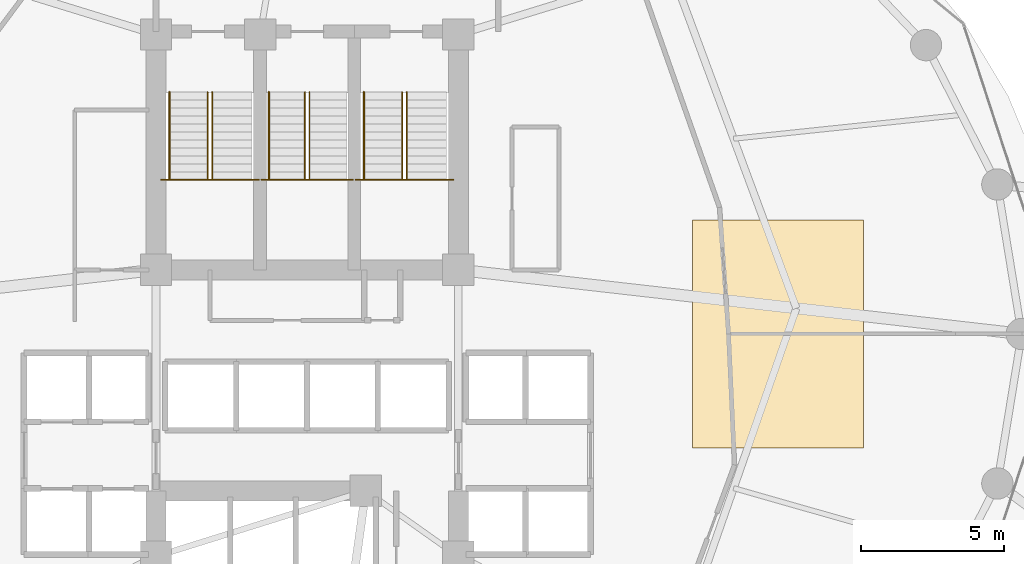
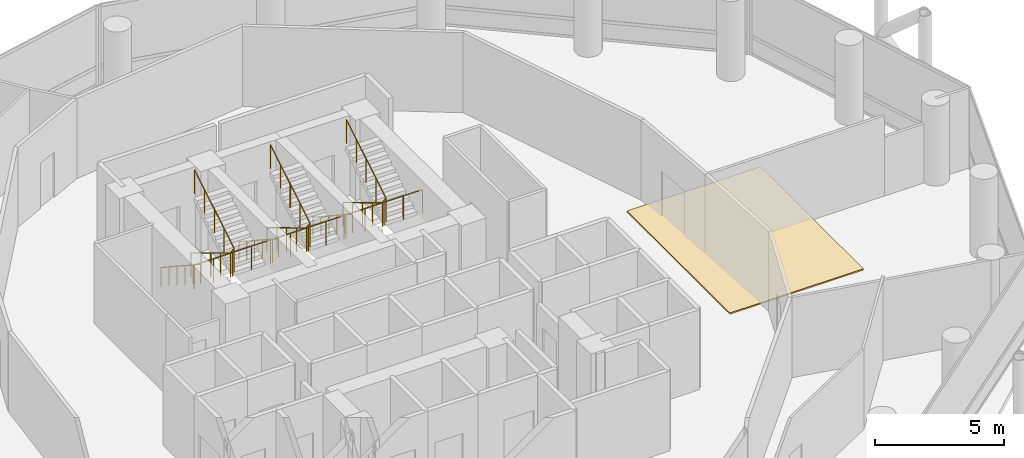
# One storey, part 24 of 24: 9 railings, 1 covering.
"""IFC4 building model written with IfcOpenShell, lengths in metres."""

from ifc_helpers import new_model, si_unit, direction, frame, origin, place, context, subcontext, project, spatial, polyline, outline, extrude, material, layer, layer_set, type_object, element, save


model = new_model("IFC4")

# Units and contexts
model_context = context("Model", 3, precision=1e-05, world=origin(), true_north=direction((0.0, 1.0)))
body_context = subcontext(model_context, "Body", "Model", "MODEL_VIEW")
ifc_project = project(units=[si_unit("LENGTHUNIT", "METRE"), si_unit("AREAUNIT", "SQUARE_METRE"), si_unit("VOLUMEUNIT", "CUBIC_METRE"), si_unit("PLANEANGLEUNIT", "RADIAN"), si_unit("MASSUNIT", "GRAM", prefix="KILO")], contexts=[model_context])

# Site, building, storey
site_placement = place(None, origin())
site = spatial("IfcSite", under=ifc_project, at=site_placement, CompositionType="ELEMENT")
building_placement = place(site_placement, origin())
building = spatial("IfcBuilding", under=site, at=building_placement, Name="Nuhasar Tower", CompositionType="ELEMENT")
storey_placement = place(building_placement, frame((0.0, 0.0, 85.800048828125)))
storey = spatial("IfcBuildingStorey", under=building, at=storey_placement, Name="L20", CompositionType="ELEMENT", Elevation=85.800048828125)

# Covering
ifc_material_1 = material(Name="Calcium Sulphate Tile", Category="gypsum")
ifc_layer = layer(ifc_material_1, 0.06005859375)
ifc_layer_set = layer_set([ifc_layer], Name="Calcium Sulphate Tile")
covering_type = type_object("IfcCoveringType", Name="COV-FLR-RAF120", PredefinedType="FLOORING", material=ifc_layer_set)
covering_placement = place(storey_placement, origin())
element("IfcCovering", 1, at=covering_placement, inside=storey, type_object=covering_type, Name="L20 Raised Access Floor Zone", PredefinedType="FLOORING", context=body_context, shape_type="SweptSolid", body=[
    extrude(outline(polyline([(52.5, 22.800048828125), (58.5, 22.800048828125), (58.5, 30.800048828125), (52.5, 30.800048828125), (52.5, 22.800048828125)])), origin(), (0.0, 0.0, 1.0), 0.06005859375),
])

# Railings
ifc_material_2 = material(Name="Steel S355", Category="steel")
railing_type_1 = type_object("IfcRailingType", Name="RLG-STAIR-GUARD-1150", PredefinedType="GUARDRAIL", material=ifc_material_2)
railing_1_placement = place(storey_placement, frame((33.8798828125, 32.205078125, 2.02490234375)))
element("IfcRailing", 2, at=railing_1_placement, inside=storey, type_object=railing_type_1, Name="L20 Stair ST-01 Guardrail LND", PredefinedType="GUARDRAIL", context=body_context, shape_type="SweptSolid", body=[
    extrude(outline(polyline([(0.024169921875, 0.0), (0.01708984375, 0.01708984375), (0.0, 0.024169921875), (-0.01708984375, 0.01708984375), (-0.024169921875, 0.0), (-0.01708984375, -0.01708984375), (0.0, -0.024169921875), (0.01708984375, -0.01708984375), (0.024169921875, 0.0)])), frame((0.0, 0.0, 1.1259765625), z_axis=(1.0, 0.0, 0.0), x_axis=(0.0, 1.0, 0.0)), (0.0, 0.0, 1.0), 3.420166015625),
    extrude(outline(polyline([(0.02099609375, 0.0), (0.014892578125, 0.014892578125), (0.0, 0.02099609375), (-0.014892578125, 0.014892578125), (-0.02099609375, 0.0), (-0.014892578125, -0.014892578125), (0.0, -0.02099609375), (0.014892578125, -0.014892578125), (0.02099609375, 0.0)])), origin(), (0.0, 0.0, 1.0), 1.101806640625),
    extrude(outline(polyline([(0.02099609375, 0.0), (0.014892578125, 0.014892578125), (0.0, 0.02099609375), (-0.014892578125, 0.014892578125), (-0.02099609375, 0.0), (-0.014892578125, -0.014892578125), (0.0, -0.02099609375), (0.014892578125, -0.014892578125), (0.02099609375, 0.0)])), frame((0.85498046875, 0.0, 0.0)), (0.0, 0.0, 1.0), 1.101806640625),
    extrude(outline(polyline([(0.02099609375, 0.0), (0.014892578125, 0.014892578125), (0.0, 0.02099609375), (-0.014892578125, 0.014892578125), (-0.02099609375, 0.0), (-0.014892578125, -0.014892578125), (0.0, -0.02099609375), (0.014892578125, -0.014892578125), (0.02099609375, 0.0)])), frame((1.7099609375, 0.0, 0.0)), (0.0, 0.0, 1.0), 1.101806640625),
    extrude(outline(polyline([(0.02099609375, 0.0), (0.014892578125, 0.014892578125), (0.0, 0.02099609375), (-0.014892578125, 0.014892578125), (-0.02099609375, 0.0), (-0.014892578125, -0.014892578125), (0.0, -0.02099609375), (0.014892578125, -0.014892578125), (0.02099609375, 0.0)])), frame((2.565185546875, 0.0, 0.0)), (0.0, 0.0, 1.0), 1.101806640625),
    extrude(outline(polyline([(0.02099609375, 0.0), (0.014892578125, 0.014892578125), (0.0, 0.02099609375), (-0.014892578125, 0.014892578125), (-0.02099609375, 0.0), (-0.014892578125, -0.014892578125), (0.0, -0.02099609375), (0.014892578125, -0.014892578125), (0.02099609375, 0.0)])), frame((3.420166015625, 0.0, 0.0)), (0.0, 0.0, 1.0), 1.101806640625),
])
railing_2_placement = place(storey_placement, frame((35.510009765625, 35.284912109375, 0.1689453125)))
element("IfcRailing", 3, at=railing_2_placement, inside=storey, type_object=railing_type_1, Name="L20 Stair ST-01 Guardrail SLT", PredefinedType="GUARDRAIL", context=body_context, shape_type="SweptSolid", body=[
    extrude(outline(polyline([(0.024169921875, 0.0), (0.01708984375, 0.01708984375), (0.0, 0.024169921875), (-0.01708984375, 0.01708984375), (-0.024169921875, 0.0), (-0.01708984375, -0.01708984375), (0.0, -0.024169921875), (0.01708984375, -0.01708984375), (0.024169921875, 0.0)])), frame((0.0, 0.0, 1.1259765625), z_axis=(0.0, -0.856502863198, 0.516142272377), x_axis=(1.0, 0.0, 0.0)), (0.0, 0.0, 1.0), 3.595703125),
    extrude(outline(polyline([(0.024169921875, 0.0), (0.01708984375, 0.01708984375), (0.0, 0.024169921875), (-0.01708984375, 0.01708984375), (-0.024169921875, 0.0), (-0.01708984375, -0.01708984375), (0.0, -0.024169921875), (0.01708984375, -0.01708984375), (0.024169921875, 0.0)])), frame((0.0, -3.079833984375, 2.98193359375), z_axis=(0.687424367727, 0.0, 0.726255973232), x_axis=(0.0, 1.0, 0.0)), (0.0, 0.0, 1.0), 0.232666015625),
    extrude(outline(polyline([(0.024169921875, 0.0), (0.01708984375, 0.01708984375), (0.0, 0.024169921875), (-0.01708984375, 0.01708984375), (-0.024169921875, 0.0), (-0.01708984375, -0.01708984375), (0.0, -0.024169921875), (0.01708984375, -0.01708984375), (0.024169921875, 0.0)])), frame((0.159912109375, -3.079833984375, 3.15087890625), z_axis=(0.0, 0.8564728477, 0.51619207777), x_axis=(-1.0, 0.0, 0.0)), (0.0, 0.0, 1.0), 3.595947265625),
    extrude(outline(polyline([(0.02099609375, 0.0), (0.014892578125, 0.014892578125), (0.0, 0.02099609375), (-0.014892578125, 0.014892578125), (-0.02099609375, 0.0), (-0.014892578125, -0.014892578125), (0.0, -0.02099609375), (0.014892578125, -0.014892578125), (0.02099609375, 0.0)])), origin(), (0.0, 0.0, 1.0), 1.101806640625),
    extrude(outline(polyline([(0.02099609375, 0.0), (0.014892578125, 0.014892578125), (0.0, 0.02099609375), (-0.014892578125, 0.014892578125), (-0.02099609375, 0.0), (-0.014892578125, -0.014892578125), (0.0, -0.02099609375), (0.014892578125, -0.014892578125), (0.02099609375, 0.0)])), frame((0.0, -0.77001953125, 0.4638671875)), (0.0, 0.0, 1.0), 1.101806640625),
    extrude(outline(polyline([(0.02099609375, 0.0), (0.014892578125, 0.014892578125), (0.0, 0.02099609375), (-0.014892578125, 0.014892578125), (-0.02099609375, 0.0), (-0.014892578125, -0.014892578125), (0.0, -0.02099609375), (0.014892578125, -0.014892578125), (0.02099609375, 0.0)])), frame((0.0, -1.5400390625, 0.927978515625)), (0.0, 0.0, 1.0), 1.101806640625),
    extrude(outline(polyline([(0.02099609375, 0.0), (0.014892578125, 0.014892578125), (0.0, 0.02099609375), (-0.014892578125, 0.014892578125), (-0.02099609375, 0.0), (-0.014892578125, -0.014892578125), (0.0, -0.02099609375), (0.014892578125, -0.014892578125), (0.02099609375, 0.0)])), frame((0.0, -2.309814453125, 1.39208984375)), (0.0, 0.0, 1.0), 1.101806640625),
    extrude(outline(polyline([(0.02099609375, 0.0), (0.014892578125, 0.014892578125), (0.0, 0.02099609375), (-0.014892578125, 0.014892578125), (-0.02099609375, 0.0), (-0.014892578125, -0.014892578125), (0.0, -0.02099609375), (0.014892578125, -0.014892578125), (0.02099609375, 0.0)])), frame((0.0, -3.079833984375, 1.85595703125)), (0.0, 0.0, 1.0), 1.101806640625),
    extrude(outline(polyline([(0.02099609375, 0.0), (0.014892578125, 0.014892578125), (0.0, 0.02099609375), (-0.014892578125, 0.014892578125), (-0.02099609375, 0.0), (-0.014892578125, -0.014892578125), (0.0, -0.02099609375), (0.014892578125, -0.014892578125), (0.02099609375, 0.0)])), frame((0.159912109375, -3.079833984375, 2.02490234375)), (0.0, 0.0, 1.0), 1.101806640625),
    extrude(outline(polyline([(0.02099609375, 0.0), (0.014892578125, 0.014892578125), (0.0, 0.02099609375), (-0.014892578125, 0.014892578125), (-0.02099609375, 0.0), (-0.014892578125, -0.014892578125), (0.0, -0.02099609375), (0.014892578125, -0.014892578125), (0.02099609375, 0.0)])), frame((0.159912109375, -2.309814453125, 2.489013671875)), (0.0, 0.0, 1.0), 1.101806640625),
    extrude(outline(polyline([(0.02099609375, 0.0), (0.014892578125, 0.014892578125), (0.0, 0.02099609375), (-0.014892578125, 0.014892578125), (-0.02099609375, 0.0), (-0.014892578125, -0.014892578125), (0.0, -0.02099609375), (0.014892578125, -0.014892578125), (0.02099609375, 0.0)])), frame((0.159912109375, -1.5400390625, 2.953125)), (0.0, 0.0, 1.0), 1.101806640625),
    extrude(outline(polyline([(0.02099609375, 0.0), (0.014892578125, 0.014892578125), (0.0, 0.02099609375), (-0.014892578125, 0.014892578125), (-0.02099609375, 0.0), (-0.014892578125, -0.014892578125), (0.0, -0.02099609375), (0.014892578125, -0.014892578125), (0.02099609375, 0.0)])), frame((0.159912109375, -0.77001953125, 3.4169921875)), (0.0, 0.0, 1.0), 1.101806640625),
    extrude(outline(polyline([(0.02099609375, 0.0), (0.014892578125, 0.014892578125), (0.0, 0.02099609375), (-0.014892578125, 0.014892578125), (-0.02099609375, 0.0), (-0.014892578125, -0.014892578125), (0.0, -0.02099609375), (0.014892578125, -0.014892578125), (0.02099609375, 0.0)])), frame((0.159912109375, 0.0, 3.881103515625)), (0.0, 0.0, 1.0), 1.101806640625),
])
railing_3_placement = place(storey_placement, frame((37.39990234375, 32.205078125, 2.02490234375)))
element("IfcRailing", 4, at=railing_3_placement, inside=storey, type_object=railing_type_1, Name="L20 Stair ST-03 Guardrail LND", PredefinedType="GUARDRAIL", context=body_context, shape_type="SweptSolid", body=[
    extrude(outline(polyline([(0.024169921875, 0.0), (0.01708984375, 0.01708984375), (0.0, 0.024169921875), (-0.01708984375, 0.01708984375), (-0.024169921875, 0.0), (-0.01708984375, -0.01708984375), (0.0, -0.024169921875), (0.01708984375, -0.01708984375), (0.024169921875, 0.0)])), frame((0.0, 0.0, 1.1259765625), z_axis=(1.0, 0.0, 0.0), x_axis=(0.0, 1.0, 0.0)), (0.0, 0.0, 1.0), 3.2001953125),
    extrude(outline(polyline([(0.02099609375, 0.0), (0.014892578125, 0.014892578125), (0.0, 0.02099609375), (-0.014892578125, 0.014892578125), (-0.02099609375, 0.0), (-0.014892578125, -0.014892578125), (0.0, -0.02099609375), (0.014892578125, -0.014892578125), (0.02099609375, 0.0)])), origin(), (0.0, 0.0, 1.0), 1.101806640625),
    extrude(outline(polyline([(0.02099609375, 0.0), (0.014892578125, 0.014892578125), (0.0, 0.02099609375), (-0.014892578125, 0.014892578125), (-0.02099609375, 0.0), (-0.014892578125, -0.014892578125), (0.0, -0.02099609375), (0.014892578125, -0.014892578125), (0.02099609375, 0.0)])), frame((0.800048828125, 0.0, 0.0)), (0.0, 0.0, 1.0), 1.101806640625),
    extrude(outline(polyline([(0.02099609375, 0.0), (0.014892578125, 0.014892578125), (0.0, 0.02099609375), (-0.014892578125, 0.014892578125), (-0.02099609375, 0.0), (-0.014892578125, -0.014892578125), (0.0, -0.02099609375), (0.014892578125, -0.014892578125), (0.02099609375, 0.0)])), frame((1.60009765625, 0.0, 0.0)), (0.0, 0.0, 1.0), 1.101806640625),
    extrude(outline(polyline([(0.02099609375, 0.0), (0.014892578125, 0.014892578125), (0.0, 0.02099609375), (-0.014892578125, 0.014892578125), (-0.02099609375, 0.0), (-0.014892578125, -0.014892578125), (0.0, -0.02099609375), (0.014892578125, -0.014892578125), (0.02099609375, 0.0)])), frame((2.400146484375, 0.0, 0.0)), (0.0, 0.0, 1.0), 1.101806640625),
    extrude(outline(polyline([(0.02099609375, 0.0), (0.014892578125, 0.014892578125), (0.0, 0.02099609375), (-0.014892578125, 0.014892578125), (-0.02099609375, 0.0), (-0.014892578125, -0.014892578125), (0.0, -0.02099609375), (0.014892578125, -0.014892578125), (0.02099609375, 0.0)])), frame((3.2001953125, 0.0, 0.0)), (0.0, 0.0, 1.0), 1.101806640625),
])
railing_4_placement = place(storey_placement, frame((38.919921875, 35.284912109375, 0.1689453125)))
element("IfcRailing", 5, at=railing_4_placement, inside=storey, type_object=railing_type_1, Name="L20 Stair ST-03 Guardrail SLT", PredefinedType="GUARDRAIL", context=body_context, shape_type="SweptSolid", body=[
    extrude(outline(polyline([(0.024169921875, 0.0), (0.01708984375, 0.01708984375), (0.0, 0.024169921875), (-0.01708984375, 0.01708984375), (-0.024169921875, 0.0), (-0.01708984375, -0.01708984375), (0.0, -0.024169921875), (0.01708984375, -0.01708984375), (0.024169921875, 0.0)])), frame((0.0, 0.0, 1.1259765625), z_axis=(0.0, -0.856502863198, 0.516142272377), x_axis=(1.0, 0.0, 0.0)), (0.0, 0.0, 1.0), 3.595703125),
    extrude(outline(polyline([(0.024169921875, 0.0), (0.01708984375, 0.01708984375), (0.0, 0.024169921875), (-0.01708984375, 0.01708984375), (-0.024169921875, 0.0), (-0.01708984375, -0.01708984375), (0.0, -0.024169921875), (0.01708984375, -0.01708984375), (0.024169921875, 0.0)])), frame((0.0, -3.079833984375, 2.98193359375), z_axis=(0.687977326998, 0.0, 0.725732180309), x_axis=(0.0, 1.0, 0.0)), (0.0, 0.0, 1.0), 0.23291015625),
    extrude(outline(polyline([(0.024169921875, 0.0), (0.01708984375, 0.01708984375), (0.0, 0.024169921875), (-0.01708984375, 0.01708984375), (-0.024169921875, 0.0), (-0.01708984375, -0.01708984375), (0.0, -0.024169921875), (0.01708984375, -0.01708984375), (0.024169921875, 0.0)])), frame((0.16015625, -3.079833984375, 3.15087890625), z_axis=(0.0, 0.8564728477, 0.51619207777), x_axis=(-1.0, 0.0, 0.0)), (0.0, 0.0, 1.0), 3.595947265625),
    extrude(outline(polyline([(0.02099609375, 0.0), (0.014892578125, 0.014892578125), (0.0, 0.02099609375), (-0.014892578125, 0.014892578125), (-0.02099609375, 0.0), (-0.014892578125, -0.014892578125), (0.0, -0.02099609375), (0.014892578125, -0.014892578125), (0.02099609375, 0.0)])), origin(), (0.0, 0.0, 1.0), 1.101806640625),
    extrude(outline(polyline([(0.02099609375, 0.0), (0.014892578125, 0.014892578125), (0.0, 0.02099609375), (-0.014892578125, 0.014892578125), (-0.02099609375, 0.0), (-0.014892578125, -0.014892578125), (0.0, -0.02099609375), (0.014892578125, -0.014892578125), (0.02099609375, 0.0)])), frame((0.0, -0.77001953125, 0.4638671875)), (0.0, 0.0, 1.0), 1.101806640625),
    extrude(outline(polyline([(0.02099609375, 0.0), (0.014892578125, 0.014892578125), (0.0, 0.02099609375), (-0.014892578125, 0.014892578125), (-0.02099609375, 0.0), (-0.014892578125, -0.014892578125), (0.0, -0.02099609375), (0.014892578125, -0.014892578125), (0.02099609375, 0.0)])), frame((0.0, -1.5400390625, 0.927978515625)), (0.0, 0.0, 1.0), 1.101806640625),
    extrude(outline(polyline([(0.02099609375, 0.0), (0.014892578125, 0.014892578125), (0.0, 0.02099609375), (-0.014892578125, 0.014892578125), (-0.02099609375, 0.0), (-0.014892578125, -0.014892578125), (0.0, -0.02099609375), (0.014892578125, -0.014892578125), (0.02099609375, 0.0)])), frame((0.0, -2.309814453125, 1.39208984375)), (0.0, 0.0, 1.0), 1.101806640625),
    extrude(outline(polyline([(0.02099609375, 0.0), (0.014892578125, 0.014892578125), (0.0, 0.02099609375), (-0.014892578125, 0.014892578125), (-0.02099609375, 0.0), (-0.014892578125, -0.014892578125), (0.0, -0.02099609375), (0.014892578125, -0.014892578125), (0.02099609375, 0.0)])), frame((0.0, -3.079833984375, 1.85595703125)), (0.0, 0.0, 1.0), 1.101806640625),
    extrude(outline(polyline([(0.02099609375, 0.0), (0.014892578125, 0.014892578125), (0.0, 0.02099609375), (-0.014892578125, 0.014892578125), (-0.02099609375, 0.0), (-0.014892578125, -0.014892578125), (0.0, -0.02099609375), (0.014892578125, -0.014892578125), (0.02099609375, 0.0)])), frame((0.16015625, -3.079833984375, 2.02490234375)), (0.0, 0.0, 1.0), 1.101806640625),
    extrude(outline(polyline([(0.02099609375, 0.0), (0.014892578125, 0.014892578125), (0.0, 0.02099609375), (-0.014892578125, 0.014892578125), (-0.02099609375, 0.0), (-0.014892578125, -0.014892578125), (0.0, -0.02099609375), (0.014892578125, -0.014892578125), (0.02099609375, 0.0)])), frame((0.16015625, -2.309814453125, 2.489013671875)), (0.0, 0.0, 1.0), 1.101806640625),
    extrude(outline(polyline([(0.02099609375, 0.0), (0.014892578125, 0.014892578125), (0.0, 0.02099609375), (-0.014892578125, 0.014892578125), (-0.02099609375, 0.0), (-0.014892578125, -0.014892578125), (0.0, -0.02099609375), (0.014892578125, -0.014892578125), (0.02099609375, 0.0)])), frame((0.16015625, -1.5400390625, 2.953125)), (0.0, 0.0, 1.0), 1.101806640625),
    extrude(outline(polyline([(0.02099609375, 0.0), (0.014892578125, 0.014892578125), (0.0, 0.02099609375), (-0.014892578125, 0.014892578125), (-0.02099609375, 0.0), (-0.014892578125, -0.014892578125), (0.0, -0.02099609375), (0.014892578125, -0.014892578125), (0.02099609375, 0.0)])), frame((0.16015625, -0.77001953125, 3.4169921875)), (0.0, 0.0, 1.0), 1.101806640625),
    extrude(outline(polyline([(0.02099609375, 0.0), (0.014892578125, 0.014892578125), (0.0, 0.02099609375), (-0.014892578125, 0.014892578125), (-0.02099609375, 0.0), (-0.014892578125, -0.014892578125), (0.0, -0.02099609375), (0.014892578125, -0.014892578125), (0.02099609375, 0.0)])), frame((0.16015625, 0.0, 3.881103515625)), (0.0, 0.0, 1.0), 1.101806640625),
])
railing_5_placement = place(storey_placement, frame((40.699951171875, 32.205078125, 2.02490234375)))
element("IfcRailing", 6, at=railing_5_placement, inside=storey, type_object=railing_type_1, Name="L20 Stair ST-02 Guardrail LND", PredefinedType="GUARDRAIL", context=body_context, shape_type="SweptSolid", body=[
    extrude(outline(polyline([(0.024169921875, 0.0), (0.01708984375, 0.01708984375), (0.0, 0.024169921875), (-0.01708984375, 0.01708984375), (-0.024169921875, 0.0), (-0.01708984375, -0.01708984375), (0.0, -0.024169921875), (0.01708984375, -0.01708984375), (0.024169921875, 0.0)])), frame((0.0, 0.0, 1.1259765625), z_axis=(1.0, 0.0, 0.0), x_axis=(0.0, 1.0, 0.0)), (0.0, 0.0, 1.0), 3.420166015625),
    extrude(outline(polyline([(0.02099609375, 0.0), (0.014892578125, 0.014892578125), (0.0, 0.02099609375), (-0.014892578125, 0.014892578125), (-0.02099609375, 0.0), (-0.014892578125, -0.014892578125), (0.0, -0.02099609375), (0.014892578125, -0.014892578125), (0.02099609375, 0.0)])), origin(), (0.0, 0.0, 1.0), 1.101806640625),
    extrude(outline(polyline([(0.02099609375, 0.0), (0.014892578125, 0.014892578125), (0.0, 0.02099609375), (-0.014892578125, 0.014892578125), (-0.02099609375, 0.0), (-0.014892578125, -0.014892578125), (0.0, -0.02099609375), (0.014892578125, -0.014892578125), (0.02099609375, 0.0)])), frame((0.85498046875, 0.0, 0.0)), (0.0, 0.0, 1.0), 1.101806640625),
    extrude(outline(polyline([(0.02099609375, 0.0), (0.014892578125, 0.014892578125), (0.0, 0.02099609375), (-0.014892578125, 0.014892578125), (-0.02099609375, 0.0), (-0.014892578125, -0.014892578125), (0.0, -0.02099609375), (0.014892578125, -0.014892578125), (0.02099609375, 0.0)])), frame((1.7099609375, 0.0, 0.0)), (0.0, 0.0, 1.0), 1.101806640625),
    extrude(outline(polyline([(0.02099609375, 0.0), (0.014892578125, 0.014892578125), (0.0, 0.02099609375), (-0.014892578125, 0.014892578125), (-0.02099609375, 0.0), (-0.014892578125, -0.014892578125), (0.0, -0.02099609375), (0.014892578125, -0.014892578125), (0.02099609375, 0.0)])), frame((2.565185546875, 0.0, 0.0)), (0.0, 0.0, 1.0), 1.101806640625),
    extrude(outline(polyline([(0.02099609375, 0.0), (0.014892578125, 0.014892578125), (0.0, 0.02099609375), (-0.014892578125, 0.014892578125), (-0.02099609375, 0.0), (-0.014892578125, -0.014892578125), (0.0, -0.02099609375), (0.014892578125, -0.014892578125), (0.02099609375, 0.0)])), frame((3.420166015625, 0.0, 0.0)), (0.0, 0.0, 1.0), 1.101806640625),
])
railing_6_placement = place(storey_placement, frame((42.330078125, 35.284912109375, 0.1689453125)))
element("IfcRailing", 7, at=railing_6_placement, inside=storey, type_object=railing_type_1, Name="L20 Stair ST-02 Guardrail SLT", PredefinedType="GUARDRAIL", context=body_context, shape_type="SweptSolid", body=[
    extrude(outline(polyline([(0.024169921875, 0.0), (0.01708984375, 0.01708984375), (0.0, 0.024169921875), (-0.01708984375, 0.01708984375), (-0.024169921875, 0.0), (-0.01708984375, -0.01708984375), (0.0, -0.024169921875), (0.01708984375, -0.01708984375), (0.024169921875, 0.0)])), frame((0.0, 0.0, 1.1259765625), z_axis=(0.0, -0.856502863198, 0.516142272377), x_axis=(1.0, 0.0, 0.0)), (0.0, 0.0, 1.0), 3.595703125),
    extrude(outline(polyline([(0.024169921875, 0.0), (0.01708984375, 0.01708984375), (0.0, 0.024169921875), (-0.01708984375, 0.01708984375), (-0.024169921875, 0.0), (-0.01708984375, -0.01708984375), (0.0, -0.024169921875), (0.01708984375, -0.01708984375), (0.024169921875, 0.0)])), frame((0.0, -3.079833984375, 2.98193359375), z_axis=(0.687424367727, 0.0, 0.726255973232), x_axis=(0.0, 1.0, 0.0)), (0.0, 0.0, 1.0), 0.232666015625),
    extrude(outline(polyline([(0.024169921875, 0.0), (0.01708984375, 0.01708984375), (0.0, 0.024169921875), (-0.01708984375, 0.01708984375), (-0.024169921875, 0.0), (-0.01708984375, -0.01708984375), (0.0, -0.024169921875), (0.01708984375, -0.01708984375), (0.024169921875, 0.0)])), frame((0.159912109375, -3.079833984375, 3.15087890625), z_axis=(0.0, 0.8564728477, 0.51619207777), x_axis=(-1.0, 0.0, 0.0)), (0.0, 0.0, 1.0), 3.595947265625),
    extrude(outline(polyline([(0.02099609375, 0.0), (0.014892578125, 0.014892578125), (0.0, 0.02099609375), (-0.014892578125, 0.014892578125), (-0.02099609375, 0.0), (-0.014892578125, -0.014892578125), (0.0, -0.02099609375), (0.014892578125, -0.014892578125), (0.02099609375, 0.0)])), origin(), (0.0, 0.0, 1.0), 1.101806640625),
    extrude(outline(polyline([(0.02099609375, 0.0), (0.014892578125, 0.014892578125), (0.0, 0.02099609375), (-0.014892578125, 0.014892578125), (-0.02099609375, 0.0), (-0.014892578125, -0.014892578125), (0.0, -0.02099609375), (0.014892578125, -0.014892578125), (0.02099609375, 0.0)])), frame((0.0, -0.77001953125, 0.4638671875)), (0.0, 0.0, 1.0), 1.101806640625),
    extrude(outline(polyline([(0.02099609375, 0.0), (0.014892578125, 0.014892578125), (0.0, 0.02099609375), (-0.014892578125, 0.014892578125), (-0.02099609375, 0.0), (-0.014892578125, -0.014892578125), (0.0, -0.02099609375), (0.014892578125, -0.014892578125), (0.02099609375, 0.0)])), frame((0.0, -1.5400390625, 0.927978515625)), (0.0, 0.0, 1.0), 1.101806640625),
    extrude(outline(polyline([(0.02099609375, 0.0), (0.014892578125, 0.014892578125), (0.0, 0.02099609375), (-0.014892578125, 0.014892578125), (-0.02099609375, 0.0), (-0.014892578125, -0.014892578125), (0.0, -0.02099609375), (0.014892578125, -0.014892578125), (0.02099609375, 0.0)])), frame((0.0, -2.309814453125, 1.39208984375)), (0.0, 0.0, 1.0), 1.101806640625),
    extrude(outline(polyline([(0.02099609375, 0.0), (0.014892578125, 0.014892578125), (0.0, 0.02099609375), (-0.014892578125, 0.014892578125), (-0.02099609375, 0.0), (-0.014892578125, -0.014892578125), (0.0, -0.02099609375), (0.014892578125, -0.014892578125), (0.02099609375, 0.0)])), frame((0.0, -3.079833984375, 1.85595703125)), (0.0, 0.0, 1.0), 1.101806640625),
    extrude(outline(polyline([(0.02099609375, 0.0), (0.014892578125, 0.014892578125), (0.0, 0.02099609375), (-0.014892578125, 0.014892578125), (-0.02099609375, 0.0), (-0.014892578125, -0.014892578125), (0.0, -0.02099609375), (0.014892578125, -0.014892578125), (0.02099609375, 0.0)])), frame((0.159912109375, -3.079833984375, 2.02490234375)), (0.0, 0.0, 1.0), 1.101806640625),
    extrude(outline(polyline([(0.02099609375, 0.0), (0.014892578125, 0.014892578125), (0.0, 0.02099609375), (-0.014892578125, 0.014892578125), (-0.02099609375, 0.0), (-0.014892578125, -0.014892578125), (0.0, -0.02099609375), (0.014892578125, -0.014892578125), (0.02099609375, 0.0)])), frame((0.159912109375, -2.309814453125, 2.489013671875)), (0.0, 0.0, 1.0), 1.101806640625),
    extrude(outline(polyline([(0.02099609375, 0.0), (0.014892578125, 0.014892578125), (0.0, 0.02099609375), (-0.014892578125, 0.014892578125), (-0.02099609375, 0.0), (-0.014892578125, -0.014892578125), (0.0, -0.02099609375), (0.014892578125, -0.014892578125), (0.02099609375, 0.0)])), frame((0.159912109375, -1.5400390625, 2.953125)), (0.0, 0.0, 1.0), 1.101806640625),
    extrude(outline(polyline([(0.02099609375, 0.0), (0.014892578125, 0.014892578125), (0.0, 0.02099609375), (-0.014892578125, 0.014892578125), (-0.02099609375, 0.0), (-0.014892578125, -0.014892578125), (0.0, -0.02099609375), (0.014892578125, -0.014892578125), (0.02099609375, 0.0)])), frame((0.159912109375, -0.77001953125, 3.4169921875)), (0.0, 0.0, 1.0), 1.101806640625),
    extrude(outline(polyline([(0.02099609375, 0.0), (0.014892578125, 0.014892578125), (0.0, 0.02099609375), (-0.014892578125, 0.014892578125), (-0.02099609375, 0.0), (-0.014892578125, -0.014892578125), (0.0, -0.02099609375), (0.014892578125, -0.014892578125), (0.02099609375, 0.0)])), frame((0.159912109375, 0.0, 3.881103515625)), (0.0, 0.0, 1.0), 1.101806640625),
])
ifc_material_3 = material(Name="Stainless Steel 316L", Category="steel")
railing_type_2 = type_object("IfcRailingType", Name="RLG-STAIR-HAND-920", PredefinedType="HANDRAIL", material=ifc_material_3)
railing_7_placement = place(storey_placement, frame((34.169921875, 35.284912109375, 0.1689453125)))
element("IfcRailing", 8, at=railing_7_placement, inside=storey, type_object=railing_type_2, Name="L20 Stair ST-01 Handrail HND1", PredefinedType="HANDRAIL", context=body_context, shape_type="SweptSolid", body=[
    extrude(outline(polyline([(0.024169921875, 0.0), (0.01708984375, 0.01708984375), (0.0, 0.024169921875), (-0.01708984375, 0.01708984375), (-0.024169921875, 0.0), (-0.01708984375, -0.01708984375), (0.0, -0.024169921875), (0.01708984375, -0.01708984375), (0.024169921875, 0.0)])), frame((0.0, 0.0, 0.89599609375), z_axis=(0.0, -0.83557951683, 0.54936952141), x_axis=(1.0, 0.0, 0.0)), (0.0, 0.0, 1.0), 3.685791015625),
    extrude(outline(polyline([(0.02099609375, 0.0), (0.014892578125, 0.014892578125), (0.0, 0.02099609375), (-0.014892578125, 0.014892578125), (-0.02099609375, 0.0), (-0.014892578125, -0.014892578125), (0.0, -0.02099609375), (0.014892578125, -0.014892578125), (0.02099609375, 0.0)])), origin(), (0.0, 0.0, 1.0), 0.871826171875),
    extrude(outline(polyline([(0.02099609375, 0.0), (0.014892578125, 0.014892578125), (0.0, 0.02099609375), (-0.014892578125, 0.014892578125), (-0.02099609375, 0.0), (-0.014892578125, -0.014892578125), (0.0, -0.02099609375), (0.014892578125, -0.014892578125), (0.02099609375, 0.0)])), frame((0.0, -0.615966796875, 0.405029296875)), (0.0, 0.0, 1.0), 0.871826171875),
    extrude(outline(polyline([(0.02099609375, 0.0), (0.014892578125, 0.014892578125), (0.0, 0.02099609375), (-0.014892578125, 0.014892578125), (-0.02099609375, 0.0), (-0.014892578125, -0.014892578125), (0.0, -0.02099609375), (0.014892578125, -0.014892578125), (0.02099609375, 0.0)])), frame((0.0, -1.23193359375, 0.81005859375)), (0.0, 0.0, 1.0), 0.871826171875),
    extrude(outline(polyline([(0.02099609375, 0.0), (0.014892578125, 0.014892578125), (0.0, 0.02099609375), (-0.014892578125, 0.014892578125), (-0.02099609375, 0.0), (-0.014892578125, -0.014892578125), (0.0, -0.02099609375), (0.014892578125, -0.014892578125), (0.02099609375, 0.0)])), frame((0.0, -1.847900390625, 1.21484375)), (0.0, 0.0, 1.0), 0.871826171875),
    extrude(outline(polyline([(0.02099609375, 0.0), (0.014892578125, 0.014892578125), (0.0, 0.02099609375), (-0.014892578125, 0.014892578125), (-0.02099609375, 0.0), (-0.014892578125, -0.014892578125), (0.0, -0.02099609375), (0.014892578125, -0.014892578125), (0.02099609375, 0.0)])), frame((0.0, -2.4638671875, 1.619873046875)), (0.0, 0.0, 1.0), 0.871826171875),
    extrude(outline(polyline([(0.02099609375, 0.0), (0.014892578125, 0.014892578125), (0.0, 0.02099609375), (-0.014892578125, 0.014892578125), (-0.02099609375, 0.0), (-0.014892578125, -0.014892578125), (0.0, -0.02099609375), (0.014892578125, -0.014892578125), (0.02099609375, 0.0)])), frame((0.0, -3.079833984375, 2.02490234375)), (0.0, 0.0, 1.0), 0.871826171875),
])
railing_8_placement = place(storey_placement, frame((37.659912109375, 35.284912109375, 0.1689453125)))
element("IfcRailing", 9, at=railing_8_placement, inside=storey, type_object=railing_type_2, Name="L20 Stair ST-03 Handrail HND1", PredefinedType="HANDRAIL", context=body_context, shape_type="SweptSolid", body=[
    extrude(outline(polyline([(0.024169921875, 0.0), (0.01708984375, 0.01708984375), (0.0, 0.024169921875), (-0.01708984375, 0.01708984375), (-0.024169921875, 0.0), (-0.01708984375, -0.01708984375), (0.0, -0.024169921875), (0.01708984375, -0.01708984375), (0.024169921875, 0.0)])), frame((0.0, 0.0, 0.89599609375), z_axis=(0.0, -0.83557951683, 0.54936952141), x_axis=(1.0, 0.0, 0.0)), (0.0, 0.0, 1.0), 3.685791015625),
    extrude(outline(polyline([(0.02099609375, 0.0), (0.014892578125, 0.014892578125), (0.0, 0.02099609375), (-0.014892578125, 0.014892578125), (-0.02099609375, 0.0), (-0.014892578125, -0.014892578125), (0.0, -0.02099609375), (0.014892578125, -0.014892578125), (0.02099609375, 0.0)])), origin(), (0.0, 0.0, 1.0), 0.871826171875),
    extrude(outline(polyline([(0.02099609375, 0.0), (0.014892578125, 0.014892578125), (0.0, 0.02099609375), (-0.014892578125, 0.014892578125), (-0.02099609375, 0.0), (-0.014892578125, -0.014892578125), (0.0, -0.02099609375), (0.014892578125, -0.014892578125), (0.02099609375, 0.0)])), frame((0.0, -0.615966796875, 0.405029296875)), (0.0, 0.0, 1.0), 0.871826171875),
    extrude(outline(polyline([(0.02099609375, 0.0), (0.014892578125, 0.014892578125), (0.0, 0.02099609375), (-0.014892578125, 0.014892578125), (-0.02099609375, 0.0), (-0.014892578125, -0.014892578125), (0.0, -0.02099609375), (0.014892578125, -0.014892578125), (0.02099609375, 0.0)])), frame((0.0, -1.23193359375, 0.81005859375)), (0.0, 0.0, 1.0), 0.871826171875),
    extrude(outline(polyline([(0.02099609375, 0.0), (0.014892578125, 0.014892578125), (0.0, 0.02099609375), (-0.014892578125, 0.014892578125), (-0.02099609375, 0.0), (-0.014892578125, -0.014892578125), (0.0, -0.02099609375), (0.014892578125, -0.014892578125), (0.02099609375, 0.0)])), frame((0.0, -1.847900390625, 1.21484375)), (0.0, 0.0, 1.0), 0.871826171875),
    extrude(outline(polyline([(0.02099609375, 0.0), (0.014892578125, 0.014892578125), (0.0, 0.02099609375), (-0.014892578125, 0.014892578125), (-0.02099609375, 0.0), (-0.014892578125, -0.014892578125), (0.0, -0.02099609375), (0.014892578125, -0.014892578125), (0.02099609375, 0.0)])), frame((0.0, -2.4638671875, 1.619873046875)), (0.0, 0.0, 1.0), 0.871826171875),
    extrude(outline(polyline([(0.02099609375, 0.0), (0.014892578125, 0.014892578125), (0.0, 0.02099609375), (-0.014892578125, 0.014892578125), (-0.02099609375, 0.0), (-0.014892578125, -0.014892578125), (0.0, -0.02099609375), (0.014892578125, -0.014892578125), (0.02099609375, 0.0)])), frame((0.0, -3.079833984375, 2.02490234375)), (0.0, 0.0, 1.0), 0.871826171875),
])
railing_9_placement = place(storey_placement, frame((40.989990234375, 35.284912109375, 0.1689453125)))
element("IfcRailing", 10, at=railing_9_placement, inside=storey, type_object=railing_type_2, Name="L20 Stair ST-02 Handrail HND1", PredefinedType="HANDRAIL", context=body_context, shape_type="SweptSolid", body=[
    extrude(outline(polyline([(0.024169921875, 0.0), (0.01708984375, 0.01708984375), (0.0, 0.024169921875), (-0.01708984375, 0.01708984375), (-0.024169921875, 0.0), (-0.01708984375, -0.01708984375), (0.0, -0.024169921875), (0.01708984375, -0.01708984375), (0.024169921875, 0.0)])), frame((0.0, 0.0, 0.89599609375), z_axis=(0.0, -0.83557951683, 0.54936952141), x_axis=(1.0, 0.0, 0.0)), (0.0, 0.0, 1.0), 3.685791015625),
    extrude(outline(polyline([(0.02099609375, 0.0), (0.014892578125, 0.014892578125), (0.0, 0.02099609375), (-0.014892578125, 0.014892578125), (-0.02099609375, 0.0), (-0.014892578125, -0.014892578125), (0.0, -0.02099609375), (0.014892578125, -0.014892578125), (0.02099609375, 0.0)])), origin(), (0.0, 0.0, 1.0), 0.871826171875),
    extrude(outline(polyline([(0.02099609375, 0.0), (0.014892578125, 0.014892578125), (0.0, 0.02099609375), (-0.014892578125, 0.014892578125), (-0.02099609375, 0.0), (-0.014892578125, -0.014892578125), (0.0, -0.02099609375), (0.014892578125, -0.014892578125), (0.02099609375, 0.0)])), frame((0.0, -0.615966796875, 0.405029296875)), (0.0, 0.0, 1.0), 0.871826171875),
    extrude(outline(polyline([(0.02099609375, 0.0), (0.014892578125, 0.014892578125), (0.0, 0.02099609375), (-0.014892578125, 0.014892578125), (-0.02099609375, 0.0), (-0.014892578125, -0.014892578125), (0.0, -0.02099609375), (0.014892578125, -0.014892578125), (0.02099609375, 0.0)])), frame((0.0, -1.23193359375, 0.81005859375)), (0.0, 0.0, 1.0), 0.871826171875),
    extrude(outline(polyline([(0.02099609375, 0.0), (0.014892578125, 0.014892578125), (0.0, 0.02099609375), (-0.014892578125, 0.014892578125), (-0.02099609375, 0.0), (-0.014892578125, -0.014892578125), (0.0, -0.02099609375), (0.014892578125, -0.014892578125), (0.02099609375, 0.0)])), frame((0.0, -1.847900390625, 1.21484375)), (0.0, 0.0, 1.0), 0.871826171875),
    extrude(outline(polyline([(0.02099609375, 0.0), (0.014892578125, 0.014892578125), (0.0, 0.02099609375), (-0.014892578125, 0.014892578125), (-0.02099609375, 0.0), (-0.014892578125, -0.014892578125), (0.0, -0.02099609375), (0.014892578125, -0.014892578125), (0.02099609375, 0.0)])), frame((0.0, -2.4638671875, 1.619873046875)), (0.0, 0.0, 1.0), 0.871826171875),
    extrude(outline(polyline([(0.02099609375, 0.0), (0.014892578125, 0.014892578125), (0.0, 0.02099609375), (-0.014892578125, 0.014892578125), (-0.02099609375, 0.0), (-0.014892578125, -0.014892578125), (0.0, -0.02099609375), (0.014892578125, -0.014892578125), (0.02099609375, 0.0)])), frame((0.0, -3.079833984375, 2.02490234375)), (0.0, 0.0, 1.0), 0.871826171875),
])

save(model, "model.ifc")
